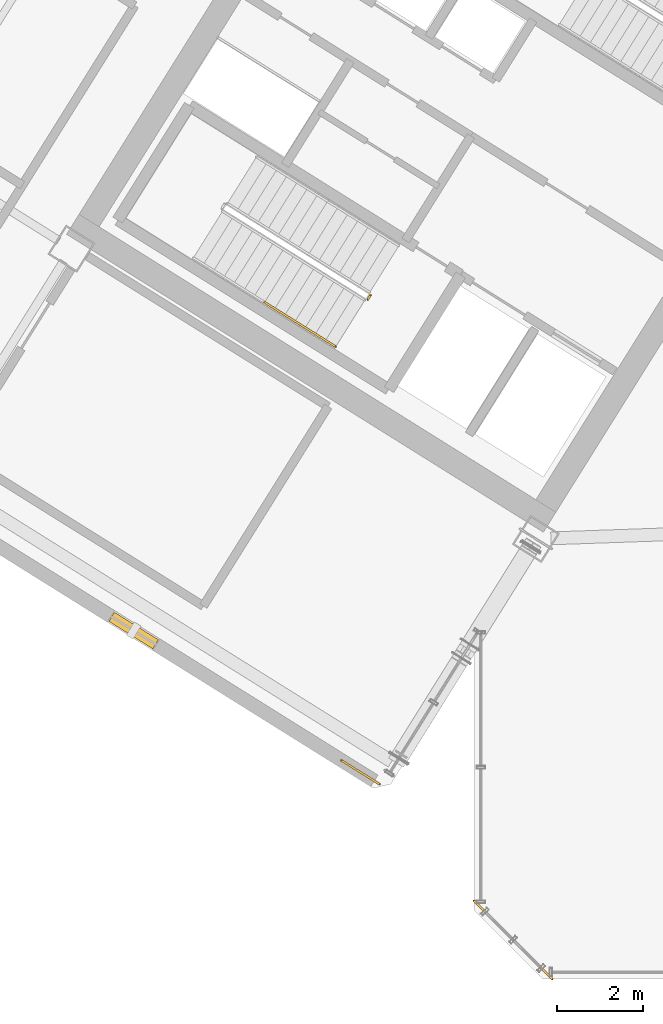
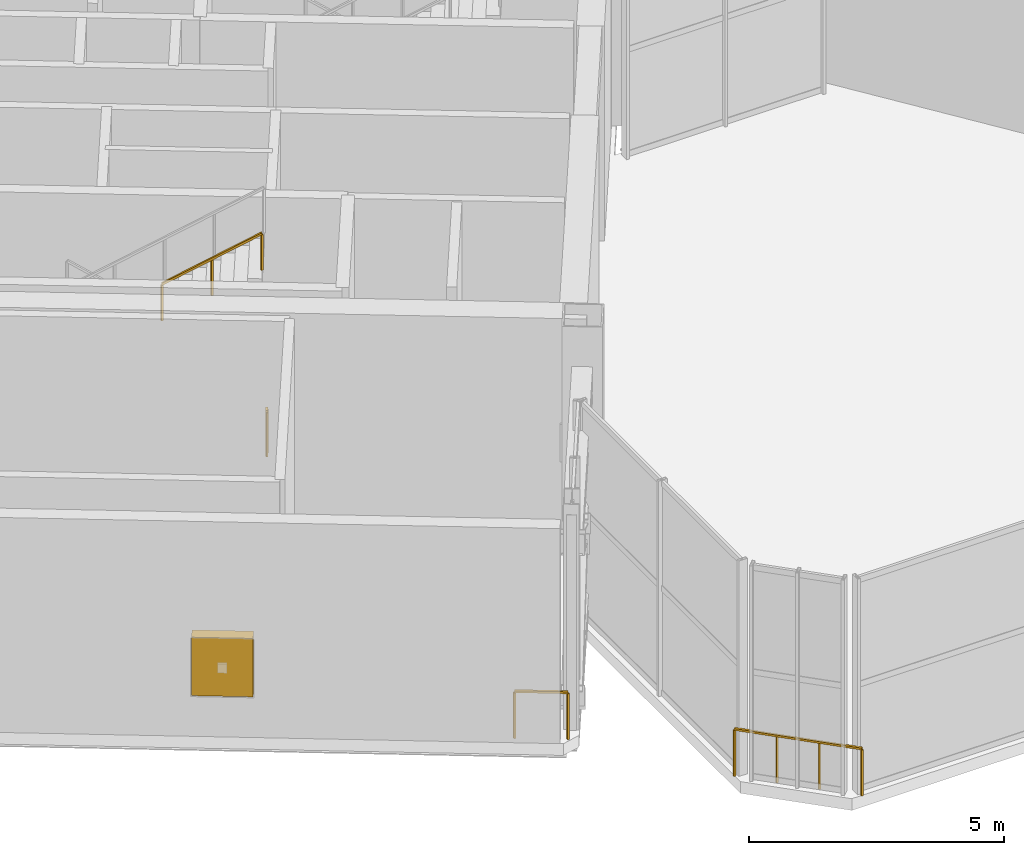
# One storey, part 25 of 30: 4 railings, 1 shading device.
"""IFC4 building model written with IfcOpenShell, lengths in metres."""

import ifcopenshell
import ifcopenshell.guid

model = None  # the IFC model being written
_history = None  # IfcOwnerHistory: only IFC2X3 demands one
_inside = {}  # id of a spatial element -> (the spatial element, [elements in it])
_under = {}  # id of a project, library or spatial element -> (it, [spatial elements below it])
_declared = {}  # id of a project -> (the project, [libraries it declares])
_typed = {}  # id of a type object -> (the type object, [elements of that type])
_made_of = {}  # id of a material, layer set ... -> (it, [elements and type objects made of it])


def new_model(schema):
    """Start an empty IFC model of exactly this schema.

    Asked for "IFC4X3", IfcOpenShell would pick the latest addendum, in which some entities
    have other attributes; the version numbers below select the first issue.
    IFC2X3 requires an IfcOwnerHistory on every rooted entity: one is made here for all.
    """
    global model, _history
    if schema == "IFC4X3":
        model = ifcopenshell.file(schema_version=(4, 3, 0, 0))
    else:
        model = ifcopenshell.file(schema=schema)
    _inside.clear()
    _under.clear()
    _declared.clear()
    _typed.clear()
    _made_of.clear()
    _history = None
    if model.schema == "IFC2X3":
        org = make("IfcOrganization", Name="unknown")
        user = make(
            "IfcPersonAndOrganization",
            ThePerson=make("IfcPerson", FamilyName="unknown"),
            TheOrganization=org,
        )
        app = make(
            "IfcApplication",
            ApplicationDeveloper=org,
            Version="unknown",
            ApplicationFullName="unknown",
            ApplicationIdentifier="unknown",
        )
        _history = make(
            "IfcOwnerHistory",
            OwningUser=user,
            OwningApplication=app,
            ChangeAction="ADDED",
            CreationDate=0,
        )
    return model


def make(cls, **values):
    """One entity of the class cls with the attributes given. An attribute that is None is left unset."""
    return model.create_entity(
        cls, **{name: value for name, value in values.items() if value is not None}
    )


def rooted(cls, **values):
    """An entity with a GlobalId (a new one), such as an element, a storey or a relation."""
    return make(cls, GlobalId=ifcopenshell.guid.new(), OwnerHistory=_history, **values)


def si_unit(unit_type, name, prefix=None):
    """IfcSIUnit, for example si_unit("LENGTHUNIT", "METRE", prefix="MILLI")."""
    return make("IfcSIUnit", UnitType=unit_type, Prefix=prefix, Name=name)


def assignment(units):
    """IfcUnitAssignment: the units of a project."""
    return None if units is None else make("IfcUnitAssignment", Units=units)


def point(xyz):
    """IfcCartesianPoint."""
    return None if xyz is None else make("IfcCartesianPoint", Coordinates=xyz)


def direction(xyz):
    """IfcDirection."""
    return None if xyz is None else make("IfcDirection", DirectionRatios=xyz)


def frame(location, z_axis=None, x_axis=None):
    """IfcAxis2Placement3D, a coordinate frame: its origin and axes. An axis left out is left unset."""
    return make(
        "IfcAxis2Placement3D",
        Location=point(location),
        Axis=direction(z_axis),
        RefDirection=direction(x_axis),
    )


def frame_2d(location, x_axis=None):
    """IfcAxis2Placement2D, a coordinate frame in the plane: its origin and x axis."""
    return make(
        "IfcAxis2Placement2D", Location=point(location), RefDirection=direction(x_axis)
    )


def origin():
    """The frame at (0, 0, 0) with its axes left unset."""
    return frame((0.0, 0.0, 0.0))


def origin_2d():
    """The frame at (0, 0) in the plane with its x axis left unset."""
    return frame_2d((0.0, 0.0))


def place(relative_to, where):
    """IfcLocalPlacement: puts the frame where relative to a parent placement (None: the world)."""
    return make(
        "IfcLocalPlacement", PlacementRelTo=relative_to, RelativePlacement=where
    )


def context(
    kind, dimensions, precision=None, world=None, true_north=None, identifier=None
):
    """IfcGeometricRepresentationContext, for example the 3D "Model" context."""
    return make(
        "IfcGeometricRepresentationContext",
        ContextIdentifier=identifier,
        ContextType=kind,
        CoordinateSpaceDimension=dimensions,
        Precision=precision,
        WorldCoordinateSystem=world,
        TrueNorth=true_north,
    )


def subcontext(parent, identifier, kind, view, scale=None):
    """IfcGeometricRepresentationSubContext, for example "Body" below "Model"."""
    return make(
        "IfcGeometricRepresentationSubContext",
        ContextIdentifier=identifier,
        ContextType=kind,
        ParentContext=parent,
        TargetScale=scale,
        TargetView=view,
    )


def project(units=None, contexts=None):
    """IfcProject with its units and contexts."""
    return rooted(
        "IfcProject",
        Name="project",
        RepresentationContexts=contexts,
        UnitsInContext=assignment(units),
    )


def spatial(cls, under=None, at=None, **own):
    """A site, building, storey or space (cls), placed at a placement, below another one or the project."""
    s = rooted(cls, ObjectPlacement=at, **own)
    if under is not None:
        _under.setdefault(under.id(), (under, []))[1].append(s)
    return s


def profile(cls, at=None, kind="AREA", **sizes):
    """A parametric profile (cls). Its sizes go by their IFC names, for example OverallWidth=200.0."""
    return make(cls, ProfileType=kind, Position=at, **sizes)


def rectangle(**sizes):
    """IfcRectangleProfileDef."""
    return profile("IfcRectangleProfileDef", **sizes)


def extrude(swept, where, along, depth):
    """IfcExtrudedAreaSolid: the profile swept, set in the frame where, extruded along a direction by depth."""
    return make(
        "IfcExtrudedAreaSolid",
        SweptArea=swept,
        Position=where,
        ExtrudedDirection=direction(along),
        Depth=depth,
    )


def shape(context_of_items, identifier, shape_type, items):
    """IfcShapeRepresentation: the items that make up one representation, for example the "Body"."""
    return make(
        "IfcShapeRepresentation",
        ContextOfItems=context_of_items,
        RepresentationIdentifier=identifier,
        RepresentationType=shape_type,
        Items=items,
    )


def source(mapping_origin, context_of_items, identifier, shape_type, items):
    """IfcRepresentationMap: a shape defined once, which mapped items show again and again."""
    return make(
        "IfcRepresentationMap",
        MappingOrigin=mapping_origin,
        MappedRepresentation=shape(context_of_items, identifier, shape_type, items),
    )


def transform(
    local_origin,
    x_axis=None,
    y_axis=None,
    z_axis=None,
    scale=None,
    scale2=None,
    scale3=None,
    uniform=True,
):
    """IfcCartesianTransformationOperator3D, or its non-uniform kind. x_axis, y_axis, z_axis: its Axis1, 2, 3."""
    if uniform:
        return make(
            "IfcCartesianTransformationOperator3D",
            Axis1=direction(x_axis),
            Axis2=direction(y_axis),
            LocalOrigin=point(local_origin),
            Scale=scale,
            Axis3=direction(z_axis),
        )
    return make(
        "IfcCartesianTransformationOperator3DnonUniform",
        Axis1=direction(x_axis),
        Axis2=direction(y_axis),
        LocalOrigin=point(local_origin),
        Scale=scale,
        Axis3=direction(z_axis),
        Scale2=scale2,
        Scale3=scale3,
    )


def mapped(mapping_source, mapping_target):
    """IfcMappedItem: shows the shape of a source again, moved by a transform."""
    return make(
        "IfcMappedItem", MappingSource=mapping_source, MappingTarget=mapping_target
    )


def material(Name=None, Category=None):
    """IfcMaterial."""
    return make("IfcMaterial", Name=Name, Category=Category)


def made_of(thing, what):
    """Note that an element or type object is made of a material, layer set ...; save() writes the relation."""
    if what is not None:
        _made_of.setdefault(what.id(), (what, []))[1].append(thing)
    return thing


def type_object(cls, material=None, **own):
    """A type object (cls), such as IfcWallType, which elements share."""
    return made_of(rooted(cls, **own), material)


def element(
    cls,
    number,
    at=None,
    inside=None,
    cuts=None,
    type_object=None,
    material=None,
    context=None,
    identifier="Body",
    shape_type=None,
    held_by="IfcProductDefinitionShape",
    body=None,
    shapes=None,
    **own,
):
    """One element of the class cls, such as IfcWall. Its Tag is "e" and its number.

    at: its placement. inside: the storey or other place that contains it. cuts: it is an
    opening in that element (IfcRelVoidsElement). A single representation is given by context,
    identifier, shape_type and body (its items); several are given by shapes. held_by: the class
    of the entity that holds the representations. save() writes the other relations.
    """
    e = rooted(cls, Tag="e%d" % number, ObjectPlacement=at, **own)
    if body is not None:
        shapes = [shape(context, identifier, shape_type, body)]
    if shapes is not None:
        e.Representation = make(held_by, Representations=shapes)
    if inside is not None:
        _inside.setdefault(inside.id(), (inside, []))[1].append(e)
    if cuts is not None:
        rooted(
            "IfcRelVoidsElement", RelatingBuildingElement=cuts, RelatedOpeningElement=e
        )
    if type_object is not None:
        _typed.setdefault(type_object.id(), (type_object, []))[1].append(e)
    return made_of(e, material)


def aggregate(whole, parts):
    """IfcRelAggregates: a whole, such as a stair, and the parts it consists of."""
    return rooted("IfcRelAggregates", RelatingObject=whole, RelatedObjects=parts)


def save(model, path):
    """Write the relations noted so far, then the file.

    IfcRelAggregates (storeys below a building ...), IfcRelContainedInSpatialStructure (elements
    in a storey), IfcRelDefinesByType, IfcRelAssociatesMaterial and IfcRelDeclares: one each for
    every whole, place, type object, material and project.
    """
    for whole, parts in _under.values():
        aggregate(whole, parts)
    for where, things in _inside.values():
        rooted(
            "IfcRelContainedInSpatialStructure",
            RelatedElements=things,
            RelatingStructure=where,
        )
    for kind, things in _typed.values():
        rooted("IfcRelDefinesByType", RelatedObjects=things, RelatingType=kind)
    for what, things in _made_of.values():
        rooted("IfcRelAssociatesMaterial", RelatedObjects=things, RelatingMaterial=what)
    for by, libraries in _declared.values():
        rooted("IfcRelDeclares", RelatingContext=by, RelatedDefinitions=libraries)
    model.write(path)


model = new_model("IFC4")

# Units and contexts
model_context = context("Model", 3, precision=1e-05, world=origin(), true_north=direction((0.0, 1.0)))
body_context = subcontext(model_context, "Body", "Model", "MODEL_VIEW")
ifc_project = project(units=[si_unit("LENGTHUNIT", "METRE"), si_unit("AREAUNIT", "SQUARE_METRE"), si_unit("VOLUMEUNIT", "CUBIC_METRE"), si_unit("PLANEANGLEUNIT", "RADIAN"), si_unit("MASSUNIT", "GRAM", prefix="KILO")], contexts=[model_context])

# Site, building, storey
site_placement = place(None, origin())
site = spatial("IfcSite", under=ifc_project, at=site_placement, CompositionType="ELEMENT")
building_placement = place(site_placement, origin())
building = spatial("IfcBuilding", under=site, at=building_placement, Name="Tlacorven Tower", CompositionType="ELEMENT")
storey_placement = place(building_placement, frame((0.0, 0.0, 169.5)))
storey = spatial("IfcBuildingStorey", under=building, at=storey_placement, Name="L43", CompositionType="ELEMENT", Elevation=169.5)

# Railings
ifc_material_1 = material(Name="Aluminium and painted steel balustrade", Category="steel")
railing_type_1 = type_object("IfcRailingType", Name="RL-GRD-1150", PredefinedType="GUARDRAIL", material=ifc_material_1)
shared_shape_1 = source(origin(), body_context, "Body", "SweptSolid", [
    extrude(rectangle(XDim=0.048095703125, YDim=0.048095703125, at=origin_2d()), frame((0.0, 0.0, 1.1259765625), z_axis=(-0.707106781187, 0.707106781187, 0.0), x_axis=(-0.707106781187, -0.707106781187, 0.0)), (0.0, 0.0, 1.0), 2.590087890625),
    extrude(rectangle(XDim=0.0419921875, YDim=0.0419921875, at=origin_2d()), origin(), (0.0, 0.0, 1.0), 1.101806640625),
    extrude(rectangle(XDim=0.0419921875, YDim=0.0419921875, at=origin_2d()), frame((-0.610595703125, 0.610595703125, 0.0)), (0.0, 0.0, 1.0), 1.101806640625),
    extrude(rectangle(XDim=0.0419921875, YDim=0.0419921875, at=origin_2d()), frame((-1.220947265625, 1.220947265625, 0.0)), (0.0, 0.0, 1.0), 1.101806640625),
    extrude(rectangle(XDim=0.0419921875, YDim=0.0419921875, at=origin_2d()), frame((-1.83154296875, 1.83154296875, 0.0)), (0.0, 0.0, 1.0), 1.101806640625),
])
railing_1_placement = place(storey_placement, frame((33.428955078125, 1.79736328125, 0.0)))
element("IfcRailing", 1, at=railing_1_placement, inside=storey, type_object=railing_type_1, Name="L43 Knuckle Glazed Sill Guard 1", PredefinedType="GUARDRAIL", context=body_context, shape_type="MappedRepresentation", body=[
    mapped(shared_shape_1, transform((0.0, 0.0, 0.0), scale=1.0)),
])
shared_shape_2 = source(origin(), body_context, "Body", "SweptSolid", [
    extrude(rectangle(XDim=0.048095703125, YDim=0.048095703125, at=origin_2d()), frame((0.0, 0.0, 1.1259765625), z_axis=(-0.848102774857, 0.529831749973, 0.0), x_axis=(-0.529831749973, -0.848102774857, 0.0)), (0.0, 0.0, 1.0), 1.050048828125),
    extrude(rectangle(XDim=0.0419921875, YDim=0.0419921875, at=origin_2d()), origin(), (0.0, 0.0, 1.0), 1.101806640625),
    extrude(rectangle(XDim=0.0419921875, YDim=0.0419921875, at=origin_2d()), frame((-0.890625, 0.556396484375, 0.0)), (0.0, 0.0, 1.0), 1.101806640625),
])
railing_2_placement = place(storey_placement, frame((29.39501953125, 6.35009765625, 0.0)))
element("IfcRailing", 2, at=railing_2_placement, inside=storey, type_object=railing_type_1, Name="L43 Knuckle Glazed Sill Guard 2", PredefinedType="GUARDRAIL", context=body_context, shape_type="MappedRepresentation", body=[
    mapped(shared_shape_2, transform((0.0, 0.0, 0.0), scale=1.0)),
])

# Shading device
ifc_material_2 = material(Name="Anodised bronze aluminium acoustic louvre", Category="aluminium")
shading_device_type = type_object("IfcShadingDeviceType", Name="SH-LVR-WND", PredefinedType="JALOUSIE", material=ifc_material_2)
shared_shape_3 = source(origin(), body_context, "Body", "SweptSolid", [
    extrude(rectangle(XDim=1.2099609375, YDim=0.25, at=origin_2d()), origin(), (0.0, 0.0, 1.0), 1.39990234375),
])
shading_device_placement = place(storey_placement, frame((23.643310546875, 9.94384765625, 0.949951171875), z_axis=(0.0, 0.0, 1.0), x_axis=(-0.84804812172, 0.529919223323, 0.0)))
element("IfcShadingDevice", 3, at=shading_device_placement, inside=storey, type_object=shading_device_type, Name="L43 Storm-Resistant Acoustic Louvre Bank 1.1", PredefinedType="JALOUSIE", context=body_context, shape_type="MappedRepresentation", body=[
    mapped(shared_shape_3, transform((0.0, 0.0, 0.0), scale=1.0)),
])

# Railings
railing_type_2 = type_object("IfcRailingType", Name="RL-GRD-1100", PredefinedType="GUARDRAIL", material=ifc_material_1)
shared_shape_4 = source(origin(), body_context, "Body", "SweptSolid", [
    extrude(rectangle(XDim=0.048095703125, YDim=0.048095703125, at=origin_2d()), frame((0.0, 0.0, 1.076171875), z_axis=(-0.529084052582, -0.848569422795, 0.0), x_axis=(0.848569422795, -0.529084052582, 0.0)), (0.0, 0.0, 1.0), 0.119873046875),
    extrude(rectangle(XDim=0.0419921875, YDim=0.0419921875, at=origin_2d()), origin(), (0.0, 0.0, 1.0), 1.052001953125),
    extrude(rectangle(XDim=0.0419921875, YDim=0.0419921875, at=origin_2d()), frame((-0.0634765625, -0.101806640625, 0.0)), (0.0, 0.0, 1.0), 1.052001953125),
])
railing_3_placement = place(storey_placement, frame((29.176513671875, 17.782958984375, 0.0)))
element("IfcRailing", 4, at=railing_3_placement, inside=storey, type_object=railing_type_2, Name="L43 ST-W1 stair guard 4", PredefinedType="GUARDRAIL", context=body_context, shape_type="MappedRepresentation", body=[
    mapped(shared_shape_4, transform((0.0, 0.0, 0.0), scale=1.0)),
])
railing_type_3 = type_object("IfcRailingType", Name="RL-HND-0900", PredefinedType="HANDRAIL", material=ifc_material_1)
shared_shape_5 = source(origin(), body_context, "Body", "SweptSolid", [
    extrude(rectangle(XDim=0.048095703125, YDim=0.048095703125, at=origin_2d()), frame((0.0, 0.0, 0.8759765625), z_axis=(0.713353726602, -0.445741297439, 0.540778287749), x_axis=(0.52990936055, 0.848054284584, 0.0)), (0.0, 0.0, 1.0), 2.330078125),
    extrude(rectangle(XDim=0.0419921875, YDim=0.0419921875, at=origin_2d()), origin(), (0.0, 0.0, 1.0), 0.851806640625),
    extrude(rectangle(XDim=0.0419921875, YDim=0.0419921875, at=origin_2d()), frame((0.8310546875, -0.519287109375, 0.6298828125)), (0.0, 0.0, 1.0), 0.851806640625),
    extrude(rectangle(XDim=0.0419921875, YDim=0.0419921875, at=origin_2d()), frame((1.662109375, -1.03857421875, 1.260009765625)), (0.0, 0.0, 1.0), 0.851806640625),
])
railing_4_placement = place(storey_placement, frame((26.70361328125, 17.618408203125, 4.139892578125)))
element("IfcRailing", 5, at=railing_4_placement, inside=storey, type_object=railing_type_3, Name="L43 ST-W1 stair handrail 4", PredefinedType="HANDRAIL", context=body_context, shape_type="MappedRepresentation", body=[
    mapped(shared_shape_5, transform((0.0, 0.0, 0.0), scale=1.0)),
])

save(model, "model.ifc")
